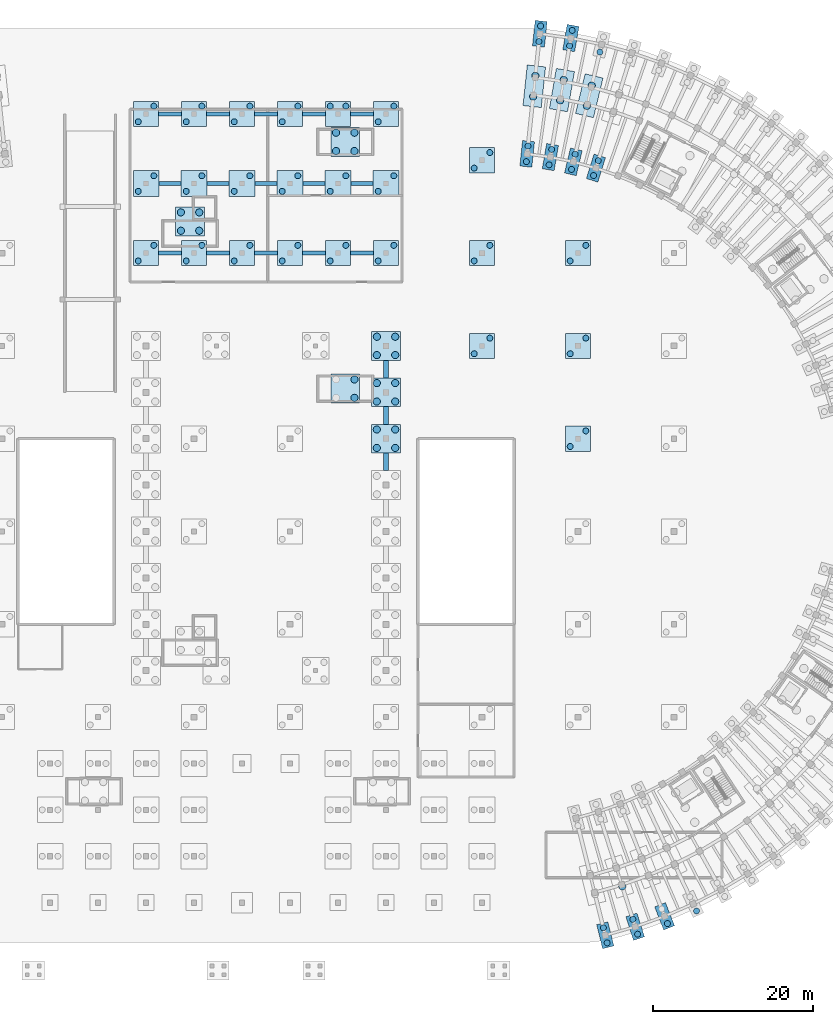
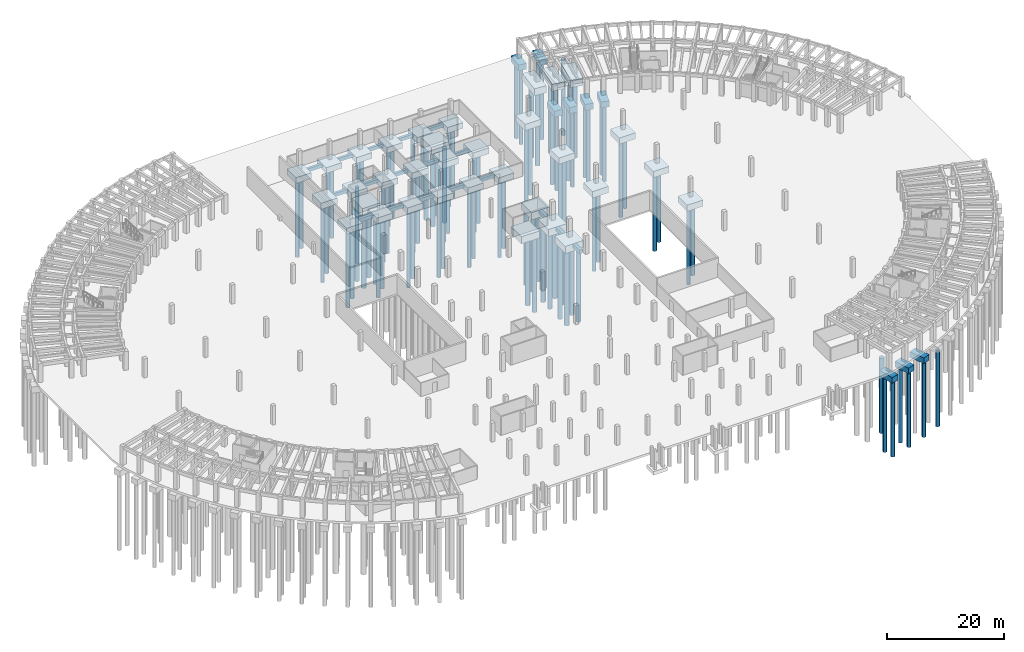
# One storey, part 4 of 29: 96 piles, 60 footings.
"""IFC4 building model written with IfcOpenShell, lengths in metres."""

from ifc_helpers import new_model, si_unit, direction, frame, origin, origin_2d, place, context, subcontext, project, spatial, rectangle, circle, extrude, material, material_profile, profile_set, type_object, element, save


model = new_model("IFC4")

# Units and contexts
model_context = context("Model", 3, precision=1e-05, world=origin(), true_north=direction((0.0, 1.0)))
body_context = subcontext(model_context, "Body", "Model", "MODEL_VIEW")
ifc_project = project(units=[si_unit("LENGTHUNIT", "METRE"), si_unit("AREAUNIT", "SQUARE_METRE"), si_unit("VOLUMEUNIT", "CUBIC_METRE"), si_unit("PLANEANGLEUNIT", "RADIAN"), si_unit("MASSUNIT", "GRAM", prefix="KILO")], contexts=[model_context])

# Site, building, storey
site_placement = place(None, origin())
site = spatial("IfcSite", under=ifc_project, at=site_placement, CompositionType="ELEMENT")
building_placement = place(site_placement, origin())
building = spatial("IfcBuilding", under=site, at=building_placement, Name="Tanwirah Colonnade Gardens", CompositionType="ELEMENT")
storey_placement = place(building_placement, frame((0.0, 0.0, -4.199951171875)))
storey = spatial("IfcBuildingStorey", under=building, at=storey_placement, Name="B1", CompositionType="ELEMENT", Elevation=-4.199951171875)

# Footings
ifc_material = material(Name="Concrete C45/55", Category="concrete")
ifc_material_profile_1 = material_profile(ifc_material, rectangle(XDim=0.5, YDim=0.699951171875, at=origin_2d()), Name="GB-500x700")
ifc_profile_set_1 = profile_set([ifc_material_profile_1], Name="Concrete C45/55")
footing_type_1 = type_object("IfcFootingType", Name="GB-500x700", PredefinedType="FOOTING_BEAM", material=ifc_profile_set_1)
for number, where, z_axis, x_axis, name in (
    (1, (79.550048828125, 92.0, -0.800048828125), (1.0, 0.0, 0.0), (0.0, 1.0, 0.0), "Ground tie beam GB-015"),
    (2, (85.550048828125, 92.0, -0.800048828125), (1.0, 0.0, 0.0), (0.0, 1.0, 0.0), "Ground tie beam GB-016"),
    (3, (91.550048828125, 92.0, -0.800048828125), (1.0, 0.0, 0.0), (0.0, 1.0, 0.0), "Ground tie beam GB-017"),
    (4, (97.550048828125, 92.0, -0.800048828125), (1.0, 0.0, 0.0), (0.0, 1.0, 0.0), "Ground tie beam GB-018"),
    (5, (103.550048828125, 92.0, -0.800048828125), (1.0, 0.0, 0.0), (0.0, 1.0, 0.0), "Ground tie beam GB-019"),
):
    element("IfcFooting", number, at=place(storey_placement, frame(where, z_axis=z_axis, x_axis=x_axis)), inside=storey, type_object=footing_type_1, Name=name, PredefinedType="FOOTING_BEAM", context=body_context, shape_type="SweptSolid", body=[
        extrude(rectangle(XDim=0.5, YDim=0.699951171875, at=origin_2d()), origin(), (0.0, 0.0, 1.0), 2.89990234375),
    ])
for number, where, z_axis, x_axis, name in (
    (6, (79.60009765625, 100.699951171875, -0.800048828125), (1.0, 0.0, 0.0), (0.0, 1.0, 0.0), "Ground tie beam GB-020"),
    (7, (85.60009765625, 100.699951171875, -0.800048828125), (1.0, 0.0, 0.0), (0.0, 1.0, 0.0), "Ground tie beam GB-021"),
    (8, (91.60009765625, 100.699951171875, -0.800048828125), (1.0, 0.0, 0.0), (0.0, 1.0, 0.0), "Ground tie beam GB-022"),
    (9, (97.60009765625, 100.699951171875, -0.800048828125), (1.0, 0.0, 0.0), (0.0, 1.0, 0.0), "Ground tie beam GB-023"),
    (10, (103.60009765625, 100.699951171875, -0.800048828125), (1.0, 0.0, 0.0), (0.0, 1.0, 0.0), "Ground tie beam GB-024"),
):
    element("IfcFooting", number, at=place(storey_placement, frame(where, z_axis=z_axis, x_axis=x_axis)), inside=storey, type_object=footing_type_1, Name=name, PredefinedType="FOOTING_BEAM", context=body_context, shape_type="SweptSolid", body=[
        extrude(rectangle(XDim=0.5, YDim=0.699951171875, at=origin_2d()), origin(), (0.0, 0.0, 1.0), 2.7998046875),
    ])
for number, where, z_axis, x_axis, name in (
    (11, (79.550048828125, 109.39990234375, -0.800048828125), (1.0, 0.0, 0.0), (0.0, 1.0, 0.0), "Ground tie beam GB-025"),
    (12, (85.550048828125, 109.39990234375, -0.800048828125), (1.0, 0.0, 0.0), (0.0, 1.0, 0.0), "Ground tie beam GB-026"),
    (13, (91.550048828125, 109.39990234375, -0.800048828125), (1.0, 0.0, 0.0), (0.0, 1.0, 0.0), "Ground tie beam GB-027"),
    (14, (97.550048828125, 109.39990234375, -0.800048828125), (1.0, 0.0, 0.0), (0.0, 1.0, 0.0), "Ground tie beam GB-028"),
    (15, (103.550048828125, 109.39990234375, -0.800048828125), (1.0, 0.0, 0.0), (0.0, 1.0, 0.0), "Ground tie beam GB-029"),
):
    element("IfcFooting", number, at=place(storey_placement, frame(where, z_axis=z_axis, x_axis=x_axis)), inside=storey, type_object=footing_type_1, Name=name, PredefinedType="FOOTING_BEAM", context=body_context, shape_type="SweptSolid", body=[
        extrude(rectangle(XDim=0.5, YDim=0.699951171875, at=origin_2d()), origin(), (0.0, 0.0, 1.0), 2.89990234375),
    ])
ifc_material_profile_2 = material_profile(ifc_material, rectangle(XDim=0.60009765625, YDim=0.800048828125, at=origin_2d()), Name="GB-600x800")
ifc_profile_set_2 = profile_set([ifc_material_profile_2], Name="Concrete C45/55")
footing_type_2 = type_object("IfcFootingType", Name="GB-600x800", PredefinedType="FOOTING_BEAM", material=ifc_profile_set_2)
for number, where, z_axis, x_axis, name in (
    (16, (108.0, 64.800048828125, -0.85009765625), (0.0, 1.0, 0.0), (-1.0, 0.0, 0.0), "Ground tie beam GB-012"),
    (17, (108.0, 70.60009765625, -0.85009765625), (0.0, 1.0, 0.0), (-1.0, 0.0, 0.0), "Ground tie beam GB-013"),
):
    element("IfcFooting", number, at=place(storey_placement, frame(where, z_axis=z_axis, x_axis=x_axis)), inside=storey, type_object=footing_type_2, Name=name, PredefinedType="FOOTING_BEAM", context=body_context, shape_type="SweptSolid", body=[
        extrude(rectangle(XDim=0.60009765625, YDim=0.800048828125, at=origin_2d()), origin(), (0.0, 0.0, 1.0), 2.199951171875),
    ])
footing_placement = place(storey_placement, frame((108.0, 76.39990234375, -0.85009765625), z_axis=(0.0, 1.0, 0.0), x_axis=(-1.0, 0.0, 0.0)))
element("IfcFooting", 18, at=footing_placement, inside=storey, type_object=footing_type_2, Name="Ground tie beam GB-014", PredefinedType="FOOTING_BEAM", context=body_context, shape_type="SweptSolid", body=[
    extrude(rectangle(XDim=0.60009765625, YDim=0.800048828125, at=origin_2d()), origin(), (0.0, 0.0, 1.0), 2.2001953125),
])
footing_type_3 = type_object("IfcFootingType", Name="PC-2P75A", PredefinedType="PILE_CAP", material=ifc_material)
for number, where, z_axis, x_axis, name in (
    (19, (135.406494140625, 6.718994140625, -1.64990234375), (0.0, 0.0, 1.0), (0.2419218956, -0.970295726276, 0.0), "Footing CAP-D-OUT-00"),
    (20, (139.15478515625, 7.784912109375, -1.64990234375), (0.0, 0.0, 1.0), (0.304864299028, -0.952395799643, 0.0), "Footing CAP-D-OUT-01"),
    (21, (142.8251953125, 9.09375, -1.64990234375), (0.0, 0.0, 1.0), (0.366501226724, -0.930417567982, 0.0), "Footing CAP-D-OUT-02"),
):
    element("IfcFooting", number, at=place(storey_placement, frame(where, z_axis=z_axis, x_axis=x_axis)), inside=storey, type_object=footing_type_3, Name=name, PredefinedType="PILE_CAP", context=body_context, shape_type="SweptSolid", body=[
        extrude(rectangle(XDim=3.10009765625, YDim=1.449951171875, at=origin_2d()), origin(), (0.0, 0.0, 1.0), 1.199951171875),
    ])
footing_type_4 = type_object("IfcFootingType", Name="PC-2P75B", PredefinedType="PILE_CAP", material=ifc_material)
for number, where, z_axis, x_axis, name in (
    (22, (134.242919921875, 102.63134765625, -1.699951171875), (0.0, 0.0, 1.0), (0.297930225503, 0.954587649581, 0.0), "Footing CAP-B-IN-15"),
    (23, (131.41845703125, 103.411865234375, -1.699951171875), (0.0, 0.0, 1.0), (0.234388030122, 0.972143122866, 0.0), "Footing CAP-B-IN-16"),
    (24, (128.548828125, 104.00439453125, -1.699951171875), (0.0, 0.0, 1.0), (0.169827230012, 0.985473851478, 0.0), "Footing CAP-B-IN-17"),
    (25, (131.11328125, 118.885009765625, -1.699951171875), (0.0, 0.0, 1.0), (0.169827230012, 0.985473851478, 0.0), "Footing CAP-B-OUT-17"),
    (26, (125.646240234375, 104.406494140625, -1.699951171875), (0.0, 0.0, 1.0), (0.104528393837, 0.994521902666, 0.0), "Footing CAP-B-IN-18"),
    (27, (127.224609375, 119.423828125, -1.699951171875), (0.0, 0.0, 1.0), (0.104528393837, 0.994521902666, 0.0), "Footing CAP-B-OUT-18"),
):
    element("IfcFooting", number, at=place(storey_placement, frame(where, z_axis=z_axis, x_axis=x_axis)), inside=storey, type_object=footing_type_4, Name=name, PredefinedType="PILE_CAP", context=body_context, shape_type="SweptSolid", body=[
        extrude(rectangle(XDim=3.199951171875, YDim=1.5, at=origin_2d()), origin(), (0.0, 0.0, 1.0), 1.25),
    ])
footing_type_5 = type_object("IfcFootingType", Name="PC-2P90B", PredefinedType="PILE_CAP", material=ifc_material)
for number, where, z_axis, x_axis, name in (
    (28, (133.410888671875, 111.675048828125, -1.89990234375), (0.0, 0.0, 1.0), (0.234388030122, 0.972143122866, 0.0), "Footing CAP-B-MD-16"),
    (29, (129.992431640625, 112.380859375, -1.89990234375), (0.0, 0.0, 1.0), (0.169827230012, 0.985473851478, 0.0), "Footing CAP-B-MD-17"),
    (30, (126.53466796875, 112.85986328125, -1.89990234375), (0.0, 0.0, 1.0), (0.104528393837, 0.994521902666, 0.0), "Footing CAP-B-MD-18"),
):
    element("IfcFooting", number, at=place(storey_placement, frame(where, z_axis=z_axis, x_axis=x_axis)), inside=storey, type_object=footing_type_5, Name=name, PredefinedType="PILE_CAP", context=body_context, shape_type="SweptSolid", body=[
        extrude(rectangle(XDim=5.10009765625, YDim=2.300048828125, at=origin_2d()), origin(), (0.0, 0.0, 1.0), 1.449951171875),
    ])
footing_type_6 = type_object("IfcFootingType", Name="PC-4P75", PredefinedType="PILE_CAP", material=ifc_material)
for number, where, z_axis, x_axis, name in (
    (31, (120.0, 80.39990234375, -1.75), (0.0, 0.0, 1.0), (1.0, 0.0, 0.0), "Footing CAP-B1G-120-13"),
    (32, (120.0, 92.0, -1.75), (0.0, 0.0, 1.0), (1.0, 0.0, 0.0), "Footing CAP-B1G-120-15"),
    (33, (120.0, 103.60009765625, -1.75), (0.0, 0.0, 1.0), (1.0, 0.0, 0.0), "Footing CAP-B1G-120-17"),
    (34, (132.0, 68.800048828125, -1.75), (0.0, 0.0, 1.0), (1.0, 0.0, 0.0), "Footing CAP-B1G-132-11"),
    (35, (132.0, 80.39990234375, -1.75), (0.0, 0.0, 1.0), (1.0, 0.0, 0.0), "Footing CAP-B1G-132-13"),
    (36, (132.0, 92.0, -1.75), (0.0, 0.0, 1.0), (1.0, 0.0, 0.0), "Footing CAP-B1G-132-15"),
):
    element("IfcFooting", number, at=place(storey_placement, frame(where, z_axis=z_axis, x_axis=x_axis)), inside=storey, type_object=footing_type_6, Name=name, PredefinedType="PILE_CAP", context=body_context, shape_type="SweptSolid", body=[
        extrude(rectangle(XDim=3.14990234375, YDim=3.14990234375, at=origin_2d()), origin(), (0.0, 0.0, 1.0), 1.300048828125),
    ])
footing_type_7 = type_object("IfcFootingType", Name="PC-4P90", PredefinedType="PILE_CAP", material=ifc_material)
for number, where, z_axis, x_axis, name in (
    (37, (102.89990234375, 75.06005859375, -1.949951171875), (0.0, 0.0, 1.0), (1.0, 0.0, 0.0), "Footing CAP-CORE-H2"),
    (38, (83.5, 95.949951171875, -1.949951171875), (0.0, 0.0, 1.0), (1.0, 0.0, 0.0), "Footing CAP-CORE-N1"),
    (39, (102.89990234375, 105.909912109375, -1.949951171875), (0.0, 0.0, 1.0), (1.0, 0.0, 0.0), "Footing CAP-CORE-N2"),
    (40, (108.0, 68.800048828125, -1.949951171875), (0.0, 0.0, 1.0), (1.0, 0.0, 0.0), "Footing CAP-HALL-3-5"),
    (41, (108.0, 74.60009765625, -1.949951171875), (0.0, 0.0, 1.0), (1.0, 0.0, 0.0), "Footing CAP-HALL-3-6"),
    (42, (108.0, 80.39990234375, -1.949951171875), (0.0, 0.0, 1.0), (1.0, 0.0, 0.0), "Footing CAP-HALL-3-7"),
):
    element("IfcFooting", number, at=place(storey_placement, frame(where, z_axis=z_axis, x_axis=x_axis)), inside=storey, type_object=footing_type_7, Name=name, PredefinedType="PILE_CAP", context=body_context, shape_type="SweptSolid", body=[
        extrude(rectangle(XDim=3.60009765625, YDim=3.60009765625, at=origin_2d()), origin(), (0.0, 0.0, 1.0), 1.5),
    ])
footing_type_8 = type_object("IfcFootingType", Name="PC-PAV1", PredefinedType="PILE_CAP", material=ifc_material)
for number, where, z_axis, x_axis, name in (
    (43, (78.0, 100.699951171875, -1.699951171875), (0.0, 0.0, 1.0), (1.0, 0.0, 0.0), "Footing CAP-NUR-0-1"),
    (44, (84.0, 100.699951171875, -1.699951171875), (0.0, 0.0, 1.0), (1.0, 0.0, 0.0), "Footing CAP-NUR-1-1"),
    (45, (90.0, 100.699951171875, -1.699951171875), (0.0, 0.0, 1.0), (1.0, 0.0, 0.0), "Footing CAP-NUR-2-1"),
    (46, (96.0, 100.699951171875, -1.699951171875), (0.0, 0.0, 1.0), (1.0, 0.0, 0.0), "Footing CAP-NUR-3-1"),
    (47, (102.0, 100.699951171875, -1.699951171875), (0.0, 0.0, 1.0), (1.0, 0.0, 0.0), "Footing CAP-NUR-4-1"),
    (48, (108.0, 100.699951171875, -1.699951171875), (0.0, 0.0, 1.0), (1.0, 0.0, 0.0), "Footing CAP-NUR-5-1"),
):
    element("IfcFooting", number, at=place(storey_placement, frame(where, z_axis=z_axis, x_axis=x_axis)), inside=storey, type_object=footing_type_8, Name=name, PredefinedType="PILE_CAP", context=body_context, shape_type="SweptSolid", body=[
        extrude(rectangle(XDim=3.199951171875, YDim=3.199951171875, at=origin_2d()), origin(), (0.0, 0.0, 1.0), 1.25),
    ])
footing_type_9 = type_object("IfcFootingType", Name="PC-PAV2", PredefinedType="PILE_CAP", material=ifc_material)
for number, where, z_axis, x_axis, name in (
    (49, (78.0, 92.0, -1.64990234375), (0.0, 0.0, 1.0), (1.0, 0.0, 0.0), "Footing CAP-NUR-0-0"),
    (50, (78.0, 109.39990234375, -1.64990234375), (0.0, 0.0, 1.0), (1.0, 0.0, 0.0), "Footing CAP-NUR-0-2"),
    (51, (84.0, 92.0, -1.64990234375), (0.0, 0.0, 1.0), (1.0, 0.0, 0.0), "Footing CAP-NUR-1-0"),
    (52, (84.0, 109.39990234375, -1.64990234375), (0.0, 0.0, 1.0), (1.0, 0.0, 0.0), "Footing CAP-NUR-1-2"),
    (53, (90.0, 92.0, -1.64990234375), (0.0, 0.0, 1.0), (1.0, 0.0, 0.0), "Footing CAP-NUR-2-0"),
    (54, (90.0, 109.39990234375, -1.64990234375), (0.0, 0.0, 1.0), (1.0, 0.0, 0.0), "Footing CAP-NUR-2-2"),
    (55, (96.0, 92.0, -1.64990234375), (0.0, 0.0, 1.0), (1.0, 0.0, 0.0), "Footing CAP-NUR-3-0"),
    (56, (96.0, 109.39990234375, -1.64990234375), (0.0, 0.0, 1.0), (1.0, 0.0, 0.0), "Footing CAP-NUR-3-2"),
    (57, (102.0, 92.0, -1.64990234375), (0.0, 0.0, 1.0), (1.0, 0.0, 0.0), "Footing CAP-NUR-4-0"),
    (58, (102.0, 109.39990234375, -1.64990234375), (0.0, 0.0, 1.0), (1.0, 0.0, 0.0), "Footing CAP-NUR-4-2"),
    (59, (108.0, 92.0, -1.64990234375), (0.0, 0.0, 1.0), (1.0, 0.0, 0.0), "Footing CAP-NUR-5-0"),
    (60, (108.0, 109.39990234375, -1.64990234375), (0.0, 0.0, 1.0), (1.0, 0.0, 0.0), "Footing CAP-NUR-5-2"),
):
    element("IfcFooting", number, at=place(storey_placement, frame(where, z_axis=z_axis, x_axis=x_axis)), inside=storey, type_object=footing_type_9, Name=name, PredefinedType="PILE_CAP", context=body_context, shape_type="SweptSolid", body=[
        extrude(rectangle(XDim=3.10009765625, YDim=3.10009765625, at=origin_2d()), origin(), (0.0, 0.0, 1.0), 1.199951171875),
    ])

# Piles
ifc_material_profile_3 = material_profile(ifc_material, circle(Radius=0.375, at=origin_2d()), Name="PILE D750")
ifc_profile_set_3 = profile_set([ifc_material_profile_3], Name="Concrete C45/55")
pile_type_1 = type_object("IfcPileType", Name="PILE-D750", PredefinedType="BORED", material=ifc_profile_set_3)
for number, where, z_axis, x_axis, name in (
    (61, (133.95263671875, 101.70068359375, -1.580078125), (0.0, 0.0, -1.0), (1.0, 0.0, 0.0), "Bored pile CAP-B-IN-15-P1"),
    (62, (134.533447265625, 103.562255859375, -1.580078125), (0.0, 0.0, -1.0), (1.0, 0.0, 0.0), "Bored pile CAP-B-IN-15-P2"),
    (63, (131.18994140625, 102.4638671875, -1.580078125), (0.0, 0.0, -1.0), (1.0, 0.0, 0.0), "Bored pile CAP-B-IN-16-P1"),
    (64, (131.64697265625, 104.359619140625, -1.580078125), (0.0, 0.0, -1.0), (1.0, 0.0, 0.0), "Bored pile CAP-B-IN-16-P2"),
    (65, (134.729248046875, 117.143310546875, -1.580078125), (0.0, 0.0, -1.0), (1.0, 0.0, 0.0), "Bored pile CAP-B-OUT-16-P1"),
    (66, (128.38330078125, 103.04345703125, -1.580078125), (0.0, 0.0, -1.0), (1.0, 0.0, 0.0), "Bored pile CAP-B-IN-17-P1"),
    (67, (128.71435546875, 104.965087890625, -1.580078125), (0.0, 0.0, -1.0), (1.0, 0.0, 0.0), "Bored pile CAP-B-IN-17-P2"),
    (68, (130.947509765625, 117.924072265625, -1.580078125), (0.0, 0.0, -1.0), (1.0, 0.0, 0.0), "Bored pile CAP-B-OUT-17-P1"),
    (69, (131.27880859375, 119.845703125, -1.580078125), (0.0, 0.0, -1.0), (1.0, 0.0, 0.0), "Bored pile CAP-B-OUT-17-P2"),
    (70, (125.54443359375, 103.436767578125, -1.580078125), (0.0, 0.0, -1.0), (1.0, 0.0, 0.0), "Bored pile CAP-B-IN-18-P1"),
    (71, (125.748291015625, 105.376220703125, -1.580078125), (0.0, 0.0, -1.0), (1.0, 0.0, 0.0), "Bored pile CAP-B-IN-18-P2"),
    (72, (127.122802734375, 118.4541015625, -1.580078125), (0.0, 0.0, -1.0), (1.0, 0.0, 0.0), "Bored pile CAP-B-OUT-18-P1"),
    (73, (127.32666015625, 120.3935546875, -1.580078125), (0.0, 0.0, -1.0), (1.0, 0.0, 0.0), "Bored pile CAP-B-OUT-18-P2"),
):
    element("IfcPile", number, at=place(storey_placement, frame(where, z_axis=z_axis, x_axis=x_axis)), inside=storey, type_object=pile_type_1, Name=name, PredefinedType="BORED", context=body_context, shape_type="SweptSolid", body=[
        extrude(circle(Radius=0.375, at=origin_2d()), origin(), (0.0, 0.0, 1.0), 15.8701171875),
    ])
for number, where, z_axis, x_axis, name in (
    (74, (135.170654296875, 7.6650390625, -1.530029296875), (0.0, 0.0, -1.0), (1.0, 0.0, 0.0), "Bored pile CAP-D-OUT-00-P1"),
    (75, (135.642333984375, 5.77294921875, -1.530029296875), (0.0, 0.0, -1.0), (1.0, 0.0, 0.0), "Bored pile CAP-D-OUT-00-P2"),
    (76, (138.857421875, 8.71337890625, -1.530029296875), (0.0, 0.0, -1.0), (1.0, 0.0, 0.0), "Bored pile CAP-D-OUT-01-P1"),
    (77, (139.451904296875, 6.856201171875, -1.530029296875), (0.0, 0.0, -1.0), (1.0, 0.0, 0.0), "Bored pile CAP-D-OUT-01-P2"),
    (78, (143.182373046875, 8.1865234375, -1.530029296875), (0.0, 0.0, -1.0), (1.0, 0.0, 0.0), "Bored pile CAP-D-OUT-02-P2"),
    (79, (146.818115234375, 9.7578125, -1.530029296875), (0.0, 0.0, -1.0), (1.0, 0.0, 0.0), "Bored pile CAP-D-OUT-03-P2"),
    (80, (77.02490234375, 91.02490234375, -1.530029296875), (0.0, 0.0, -1.0), (1.0, 0.0, 0.0), "Bored pile CAP-NUR-0-0-P1"),
    (81, (78.97509765625, 92.97509765625, -1.530029296875), (0.0, 0.0, -1.0), (1.0, 0.0, 0.0), "Bored pile CAP-NUR-0-0-P2"),
):
    element("IfcPile", number, at=place(storey_placement, frame(where, z_axis=z_axis, x_axis=x_axis)), inside=storey, type_object=pile_type_1, Name=name, PredefinedType="BORED", context=body_context, shape_type="SweptSolid", body=[
        extrude(circle(Radius=0.375, at=origin_2d()), origin(), (0.0, 0.0, 1.0), 15.919921875),
    ])
for number, where, z_axis, x_axis, name in (
    (82, (77.02490234375, 99.72509765625, -1.580078125), (0.0, 0.0, -1.0), (1.0, 0.0, 0.0), "Bored pile CAP-NUR-0-1-P1"),
    (83, (78.97509765625, 101.675048828125, -1.580078125), (0.0, 0.0, -1.0), (1.0, 0.0, 0.0), "Bored pile CAP-NUR-0-1-P2"),
):
    element("IfcPile", number, at=place(storey_placement, frame(where, z_axis=z_axis, x_axis=x_axis)), inside=storey, type_object=pile_type_1, Name=name, PredefinedType="BORED", context=body_context, shape_type="SweptSolid", body=[
        extrude(circle(Radius=0.375, at=origin_2d()), origin(), (0.0, 0.0, 1.0), 15.8701171875),
    ])
for number, where, z_axis, x_axis, name in (
    (84, (77.02490234375, 108.425048828125, -1.530029296875), (0.0, 0.0, -1.0), (1.0, 0.0, 0.0), "Bored pile CAP-NUR-0-2-P1"),
    (85, (78.97509765625, 110.375, -1.530029296875), (0.0, 0.0, -1.0), (1.0, 0.0, 0.0), "Bored pile CAP-NUR-0-2-P2"),
    (86, (83.02490234375, 91.02490234375, -1.530029296875), (0.0, 0.0, -1.0), (1.0, 0.0, 0.0), "Bored pile CAP-NUR-1-0-P1"),
    (87, (84.97509765625, 92.97509765625, -1.530029296875), (0.0, 0.0, -1.0), (1.0, 0.0, 0.0), "Bored pile CAP-NUR-1-0-P2"),
):
    element("IfcPile", number, at=place(storey_placement, frame(where, z_axis=z_axis, x_axis=x_axis)), inside=storey, type_object=pile_type_1, Name=name, PredefinedType="BORED", context=body_context, shape_type="SweptSolid", body=[
        extrude(circle(Radius=0.375, at=origin_2d()), origin(), (0.0, 0.0, 1.0), 15.919921875),
    ])
for number, where, z_axis, x_axis, name in (
    (88, (83.02490234375, 99.72509765625, -1.580078125), (0.0, 0.0, -1.0), (1.0, 0.0, 0.0), "Bored pile CAP-NUR-1-1-P1"),
    (89, (84.97509765625, 101.675048828125, -1.580078125), (0.0, 0.0, -1.0), (1.0, 0.0, 0.0), "Bored pile CAP-NUR-1-1-P2"),
):
    element("IfcPile", number, at=place(storey_placement, frame(where, z_axis=z_axis, x_axis=x_axis)), inside=storey, type_object=pile_type_1, Name=name, PredefinedType="BORED", context=body_context, shape_type="SweptSolid", body=[
        extrude(circle(Radius=0.375, at=origin_2d()), origin(), (0.0, 0.0, 1.0), 15.8701171875),
    ])
for number, where, z_axis, x_axis, name in (
    (90, (83.02490234375, 108.425048828125, -1.530029296875), (0.0, 0.0, -1.0), (1.0, 0.0, 0.0), "Bored pile CAP-NUR-1-2-P1"),
    (91, (84.97509765625, 110.375, -1.530029296875), (0.0, 0.0, -1.0), (1.0, 0.0, 0.0), "Bored pile CAP-NUR-1-2-P2"),
    (92, (89.02490234375, 91.02490234375, -1.530029296875), (0.0, 0.0, -1.0), (1.0, 0.0, 0.0), "Bored pile CAP-NUR-2-0-P1"),
    (93, (90.97509765625, 92.97509765625, -1.530029296875), (0.0, 0.0, -1.0), (1.0, 0.0, 0.0), "Bored pile CAP-NUR-2-0-P2"),
):
    element("IfcPile", number, at=place(storey_placement, frame(where, z_axis=z_axis, x_axis=x_axis)), inside=storey, type_object=pile_type_1, Name=name, PredefinedType="BORED", context=body_context, shape_type="SweptSolid", body=[
        extrude(circle(Radius=0.375, at=origin_2d()), origin(), (0.0, 0.0, 1.0), 15.919921875),
    ])
for number, where, z_axis, x_axis, name in (
    (94, (89.02490234375, 99.72509765625, -1.580078125), (0.0, 0.0, -1.0), (1.0, 0.0, 0.0), "Bored pile CAP-NUR-2-1-P1"),
    (95, (90.97509765625, 101.675048828125, -1.580078125), (0.0, 0.0, -1.0), (1.0, 0.0, 0.0), "Bored pile CAP-NUR-2-1-P2"),
):
    element("IfcPile", number, at=place(storey_placement, frame(where, z_axis=z_axis, x_axis=x_axis)), inside=storey, type_object=pile_type_1, Name=name, PredefinedType="BORED", context=body_context, shape_type="SweptSolid", body=[
        extrude(circle(Radius=0.375, at=origin_2d()), origin(), (0.0, 0.0, 1.0), 15.8701171875),
    ])
for number, where, z_axis, x_axis, name in (
    (96, (89.02490234375, 108.425048828125, -1.530029296875), (0.0, 0.0, -1.0), (1.0, 0.0, 0.0), "Bored pile CAP-NUR-2-2-P1"),
    (97, (90.97509765625, 110.375, -1.530029296875), (0.0, 0.0, -1.0), (1.0, 0.0, 0.0), "Bored pile CAP-NUR-2-2-P2"),
    (98, (95.02490234375, 91.02490234375, -1.530029296875), (0.0, 0.0, -1.0), (1.0, 0.0, 0.0), "Bored pile CAP-NUR-3-0-P1"),
    (99, (96.97509765625, 92.97509765625, -1.530029296875), (0.0, 0.0, -1.0), (1.0, 0.0, 0.0), "Bored pile CAP-NUR-3-0-P2"),
):
    element("IfcPile", number, at=place(storey_placement, frame(where, z_axis=z_axis, x_axis=x_axis)), inside=storey, type_object=pile_type_1, Name=name, PredefinedType="BORED", context=body_context, shape_type="SweptSolid", body=[
        extrude(circle(Radius=0.375, at=origin_2d()), origin(), (0.0, 0.0, 1.0), 15.919921875),
    ])
for number, where, z_axis, x_axis, name in (
    (100, (95.02490234375, 99.72509765625, -1.580078125), (0.0, 0.0, -1.0), (1.0, 0.0, 0.0), "Bored pile CAP-NUR-3-1-P1"),
    (101, (96.97509765625, 101.675048828125, -1.580078125), (0.0, 0.0, -1.0), (1.0, 0.0, 0.0), "Bored pile CAP-NUR-3-1-P2"),
):
    element("IfcPile", number, at=place(storey_placement, frame(where, z_axis=z_axis, x_axis=x_axis)), inside=storey, type_object=pile_type_1, Name=name, PredefinedType="BORED", context=body_context, shape_type="SweptSolid", body=[
        extrude(circle(Radius=0.375, at=origin_2d()), origin(), (0.0, 0.0, 1.0), 15.8701171875),
    ])
for number, where, z_axis, x_axis, name in (
    (102, (95.02490234375, 108.425048828125, -1.530029296875), (0.0, 0.0, -1.0), (1.0, 0.0, 0.0), "Bored pile CAP-NUR-3-2-P1"),
    (103, (96.97509765625, 110.375, -1.530029296875), (0.0, 0.0, -1.0), (1.0, 0.0, 0.0), "Bored pile CAP-NUR-3-2-P2"),
    (104, (101.02490234375, 91.02490234375, -1.530029296875), (0.0, 0.0, -1.0), (1.0, 0.0, 0.0), "Bored pile CAP-NUR-4-0-P1"),
    (105, (102.97509765625, 92.97509765625, -1.530029296875), (0.0, 0.0, -1.0), (1.0, 0.0, 0.0), "Bored pile CAP-NUR-4-0-P2"),
):
    element("IfcPile", number, at=place(storey_placement, frame(where, z_axis=z_axis, x_axis=x_axis)), inside=storey, type_object=pile_type_1, Name=name, PredefinedType="BORED", context=body_context, shape_type="SweptSolid", body=[
        extrude(circle(Radius=0.375, at=origin_2d()), origin(), (0.0, 0.0, 1.0), 15.919921875),
    ])
for number, where, z_axis, x_axis, name in (
    (106, (101.02490234375, 99.72509765625, -1.580078125), (0.0, 0.0, -1.0), (1.0, 0.0, 0.0), "Bored pile CAP-NUR-4-1-P1"),
    (107, (102.97509765625, 101.675048828125, -1.580078125), (0.0, 0.0, -1.0), (1.0, 0.0, 0.0), "Bored pile CAP-NUR-4-1-P2"),
):
    element("IfcPile", number, at=place(storey_placement, frame(where, z_axis=z_axis, x_axis=x_axis)), inside=storey, type_object=pile_type_1, Name=name, PredefinedType="BORED", context=body_context, shape_type="SweptSolid", body=[
        extrude(circle(Radius=0.375, at=origin_2d()), origin(), (0.0, 0.0, 1.0), 15.8701171875),
    ])
for number, where, z_axis, x_axis, name in (
    (108, (101.02490234375, 110.375, -1.530029296875), (0.0, 0.0, -1.0), (1.0, 0.0, 0.0), "Bored pile CAP-NUR-4-2-P1"),
    (109, (102.97509765625, 110.375, -1.530029296875), (0.0, 0.0, -1.0), (1.0, 0.0, 0.0), "Bored pile CAP-NUR-4-2-P2"),
    (110, (107.02490234375, 91.02490234375, -1.530029296875), (0.0, 0.0, -1.0), (1.0, 0.0, 0.0), "Bored pile CAP-NUR-5-0-P1"),
    (111, (108.97509765625, 92.97509765625, -1.530029296875), (0.0, 0.0, -1.0), (1.0, 0.0, 0.0), "Bored pile CAP-NUR-5-0-P2"),
):
    element("IfcPile", number, at=place(storey_placement, frame(where, z_axis=z_axis, x_axis=x_axis)), inside=storey, type_object=pile_type_1, Name=name, PredefinedType="BORED", context=body_context, shape_type="SweptSolid", body=[
        extrude(circle(Radius=0.375, at=origin_2d()), origin(), (0.0, 0.0, 1.0), 15.919921875),
    ])
for number, where, z_axis, x_axis, name in (
    (112, (107.02490234375, 99.72509765625, -1.580078125), (0.0, 0.0, -1.0), (1.0, 0.0, 0.0), "Bored pile CAP-NUR-5-1-P1"),
    (113, (108.97509765625, 101.675048828125, -1.580078125), (0.0, 0.0, -1.0), (1.0, 0.0, 0.0), "Bored pile CAP-NUR-5-1-P2"),
):
    element("IfcPile", number, at=place(storey_placement, frame(where, z_axis=z_axis, x_axis=x_axis)), inside=storey, type_object=pile_type_1, Name=name, PredefinedType="BORED", context=body_context, shape_type="SweptSolid", body=[
        extrude(circle(Radius=0.375, at=origin_2d()), origin(), (0.0, 0.0, 1.0), 15.8701171875),
    ])
for number, where, z_axis, x_axis, name in (
    (114, (107.02490234375, 108.425048828125, -1.530029296875), (0.0, 0.0, -1.0), (1.0, 0.0, 0.0), "Bored pile CAP-NUR-5-2-P1"),
    (115, (108.97509765625, 110.375, -1.530029296875), (0.0, 0.0, -1.0), (1.0, 0.0, 0.0), "Bored pile CAP-NUR-5-2-P2"),
):
    element("IfcPile", number, at=place(storey_placement, frame(where, z_axis=z_axis, x_axis=x_axis)), inside=storey, type_object=pile_type_1, Name=name, PredefinedType="BORED", context=body_context, shape_type="SweptSolid", body=[
        extrude(circle(Radius=0.375, at=origin_2d()), origin(), (0.0, 0.0, 1.0), 15.919921875),
    ])
for number, where, z_axis, x_axis, name in (
    (116, (119.02490234375, 79.425048828125, -1.630126953125), (0.0, 0.0, -1.0), (1.0, 0.0, 0.0), "Bored pile CAP-B1G-120-13-P1"),
    (117, (120.97509765625, 81.375, -1.630126953125), (0.0, 0.0, -1.0), (1.0, 0.0, 0.0), "Bored pile CAP-B1G-120-13-P2"),
    (118, (119.02490234375, 91.02490234375, -1.630126953125), (0.0, 0.0, -1.0), (1.0, 0.0, 0.0), "Bored pile CAP-B1G-120-15-P1"),
    (119, (120.97509765625, 92.97509765625, -1.630126953125), (0.0, 0.0, -1.0), (1.0, 0.0, 0.0), "Bored pile CAP-B1G-120-15-P2"),
    (120, (119.02490234375, 102.625, -1.630126953125), (0.0, 0.0, -1.0), (1.0, 0.0, 0.0), "Bored pile CAP-B1G-120-17-P1"),
    (121, (120.97509765625, 104.574951171875, -1.630126953125), (0.0, 0.0, -1.0), (1.0, 0.0, 0.0), "Bored pile CAP-B1G-120-17-P2"),
    (122, (131.02490234375, 67.824951171875, -1.630126953125), (0.0, 0.0, -1.0), (1.0, 0.0, 0.0), "Bored pile CAP-B1G-132-11-P1"),
    (123, (132.97509765625, 69.77490234375, -1.630126953125), (0.0, 0.0, -1.0), (1.0, 0.0, 0.0), "Bored pile CAP-B1G-132-11-P2"),
    (124, (131.02490234375, 79.425048828125, -1.630126953125), (0.0, 0.0, -1.0), (1.0, 0.0, 0.0), "Bored pile CAP-B1G-132-13-P1"),
    (125, (132.97509765625, 81.375, -1.630126953125), (0.0, 0.0, -1.0), (1.0, 0.0, 0.0), "Bored pile CAP-B1G-132-13-P2"),
    (126, (131.02490234375, 91.02490234375, -1.630126953125), (0.0, 0.0, -1.0), (1.0, 0.0, 0.0), "Bored pile CAP-B1G-132-15-P1"),
    (127, (132.97509765625, 92.97509765625, -1.630126953125), (0.0, 0.0, -1.0), (1.0, 0.0, 0.0), "Bored pile CAP-B1G-132-15-P2"),
):
    element("IfcPile", number, at=place(storey_placement, frame(where, z_axis=z_axis, x_axis=x_axis)), inside=storey, type_object=pile_type_1, Name=name, PredefinedType="BORED", context=body_context, shape_type="SweptSolid", body=[
        extrude(circle(Radius=0.375, at=origin_2d()), origin(), (0.0, 0.0, 1.0), 15.820068359375),
    ])
ifc_material_profile_4 = material_profile(ifc_material, circle(Radius=0.449951171875, at=origin_2d()), Name="PILE D900")
ifc_profile_set_4 = profile_set([ifc_material_profile_4], Name="Concrete C45/55")
pile_type_2 = type_object("IfcPileType", Name="PILE-D900", PredefinedType="BORED", material=ifc_profile_set_4)
for number, where, z_axis, x_axis, name in (
    (128, (104.050048828125, 73.909912109375, -1.830078125), (0.0, 0.0, -1.0), (1.0, 0.0, 0.0), "Bored pile CAP-CORE-H2-P2"),
    (129, (104.050048828125, 76.2099609375, -1.830078125), (0.0, 0.0, -1.0), (1.0, 0.0, 0.0), "Bored pile CAP-CORE-H2-P4"),
    (130, (82.35009765625, 94.800048828125, -1.830078125), (0.0, 0.0, -1.0), (1.0, 0.0, 0.0), "Bored pile CAP-CORE-N1-P1"),
    (131, (84.64990234375, 94.800048828125, -1.830078125), (0.0, 0.0, -1.0), (1.0, 0.0, 0.0), "Bored pile CAP-CORE-N1-P2"),
    (132, (82.35009765625, 97.10009765625, -1.830078125), (0.0, 0.0, -1.0), (1.0, 0.0, 0.0), "Bored pile CAP-CORE-N1-P3"),
    (133, (84.64990234375, 97.10009765625, -1.830078125), (0.0, 0.0, -1.0), (1.0, 0.0, 0.0), "Bored pile CAP-CORE-N1-P4"),
    (134, (101.75, 104.760009765625, -1.830078125), (0.0, 0.0, -1.0), (1.0, 0.0, 0.0), "Bored pile CAP-CORE-N2-P1"),
    (135, (104.050048828125, 104.760009765625, -1.830078125), (0.0, 0.0, -1.0), (1.0, 0.0, 0.0), "Bored pile CAP-CORE-N2-P2"),
    (136, (101.75, 107.06005859375, -1.830078125), (0.0, 0.0, -1.0), (1.0, 0.0, 0.0), "Bored pile CAP-CORE-N2-P3"),
    (137, (104.050048828125, 107.06005859375, -1.830078125), (0.0, 0.0, -1.0), (1.0, 0.0, 0.0), "Bored pile CAP-CORE-N2-P4"),
):
    element("IfcPile", number, at=place(storey_placement, frame(where, z_axis=z_axis, x_axis=x_axis)), inside=storey, type_object=pile_type_2, Name=name, PredefinedType="BORED", context=body_context, shape_type="SweptSolid", body=[
        extrude(circle(Radius=0.449951171875, at=origin_2d()), origin(), (0.0, 0.0, 1.0), 15.6201171875),
    ])
for number, where, z_axis, x_axis, name in (
    (138, (133.106201171875, 110.4111328125, -1.780029296875), (0.0, 0.0, -1.0), (1.0, 0.0, 0.0), "Bored pile CAP-B-MD-16-P1"),
    (139, (133.715576171875, 112.938720703125, -1.780029296875), (0.0, 0.0, -1.0), (1.0, 0.0, 0.0), "Bored pile CAP-B-MD-16-P2"),
    (140, (129.771484375, 111.099609375, -1.780029296875), (0.0, 0.0, -1.0), (1.0, 0.0, 0.0), "Bored pile CAP-B-MD-17-P1"),
    (141, (130.213134765625, 113.661865234375, -1.780029296875), (0.0, 0.0, -1.0), (1.0, 0.0, 0.0), "Bored pile CAP-B-MD-17-P2"),
    (142, (126.39892578125, 111.567138671875, -1.780029296875), (0.0, 0.0, -1.0), (1.0, 0.0, 0.0), "Bored pile CAP-B-MD-18-P1"),
    (143, (126.670654296875, 114.15283203125, -1.780029296875), (0.0, 0.0, -1.0), (1.0, 0.0, 0.0), "Bored pile CAP-B-MD-18-P2"),
):
    element("IfcPile", number, at=place(storey_placement, frame(where, z_axis=z_axis, x_axis=x_axis)), inside=storey, type_object=pile_type_2, Name=name, PredefinedType="BORED", context=body_context, shape_type="SweptSolid", body=[
        extrude(circle(Radius=0.449951171875, at=origin_2d()), origin(), (0.0, 0.0, 1.0), 15.669921875),
    ])
pile_placement = place(storey_placement, frame((137.538818359375, 12.83251953125, -1.72998046875), z_axis=(0.0, 0.0, -1.0), x_axis=(1.0, 0.0, 0.0)))
element("IfcPile", 144, at=pile_placement, inside=storey, type_object=pile_type_2, Name="Bored pile CAP-D-MD-01-P2", PredefinedType="BORED", context=body_context, shape_type="SweptSolid", body=[
    extrude(circle(Radius=0.449951171875, at=origin_2d()), origin(), (0.0, 0.0, 1.0), 15.719970703125),
])
for number, where, z_axis, x_axis, name in (
    (145, (106.85009765625, 67.64990234375, -1.830078125), (0.0, 0.0, -1.0), (1.0, 0.0, 0.0), "Bored pile CAP-HALL-3-5-P1"),
    (146, (109.14990234375, 67.64990234375, -1.830078125), (0.0, 0.0, -1.0), (1.0, 0.0, 0.0), "Bored pile CAP-HALL-3-5-P2"),
    (147, (106.85009765625, 69.949951171875, -1.830078125), (0.0, 0.0, -1.0), (1.0, 0.0, 0.0), "Bored pile CAP-HALL-3-5-P3"),
    (148, (109.14990234375, 69.949951171875, -1.830078125), (0.0, 0.0, -1.0), (1.0, 0.0, 0.0), "Bored pile CAP-HALL-3-5-P4"),
    (149, (106.85009765625, 73.449951171875, -1.830078125), (0.0, 0.0, -1.0), (1.0, 0.0, 0.0), "Bored pile CAP-HALL-3-6-P1"),
    (150, (109.14990234375, 73.449951171875, -1.830078125), (0.0, 0.0, -1.0), (1.0, 0.0, 0.0), "Bored pile CAP-HALL-3-6-P2"),
    (151, (106.85009765625, 75.75, -1.830078125), (0.0, 0.0, -1.0), (1.0, 0.0, 0.0), "Bored pile CAP-HALL-3-6-P3"),
    (152, (109.14990234375, 75.75, -1.830078125), (0.0, 0.0, -1.0), (1.0, 0.0, 0.0), "Bored pile CAP-HALL-3-6-P4"),
    (153, (106.85009765625, 79.25, -1.830078125), (0.0, 0.0, -1.0), (1.0, 0.0, 0.0), "Bored pile CAP-HALL-3-7-P1"),
    (154, (109.14990234375, 79.25, -1.830078125), (0.0, 0.0, -1.0), (1.0, 0.0, 0.0), "Bored pile CAP-HALL-3-7-P2"),
    (155, (106.85009765625, 81.550048828125, -1.830078125), (0.0, 0.0, -1.0), (1.0, 0.0, 0.0), "Bored pile CAP-HALL-3-7-P3"),
    (156, (109.14990234375, 81.550048828125, -1.830078125), (0.0, 0.0, -1.0), (1.0, 0.0, 0.0), "Bored pile CAP-HALL-3-7-P4"),
):
    element("IfcPile", number, at=place(storey_placement, frame(where, z_axis=z_axis, x_axis=x_axis)), inside=storey, type_object=pile_type_2, Name=name, PredefinedType="BORED", context=body_context, shape_type="SweptSolid", body=[
        extrude(circle(Radius=0.449951171875, at=origin_2d()), origin(), (0.0, 0.0, 1.0), 15.6201171875),
    ])

save(model, "model.ifc")
